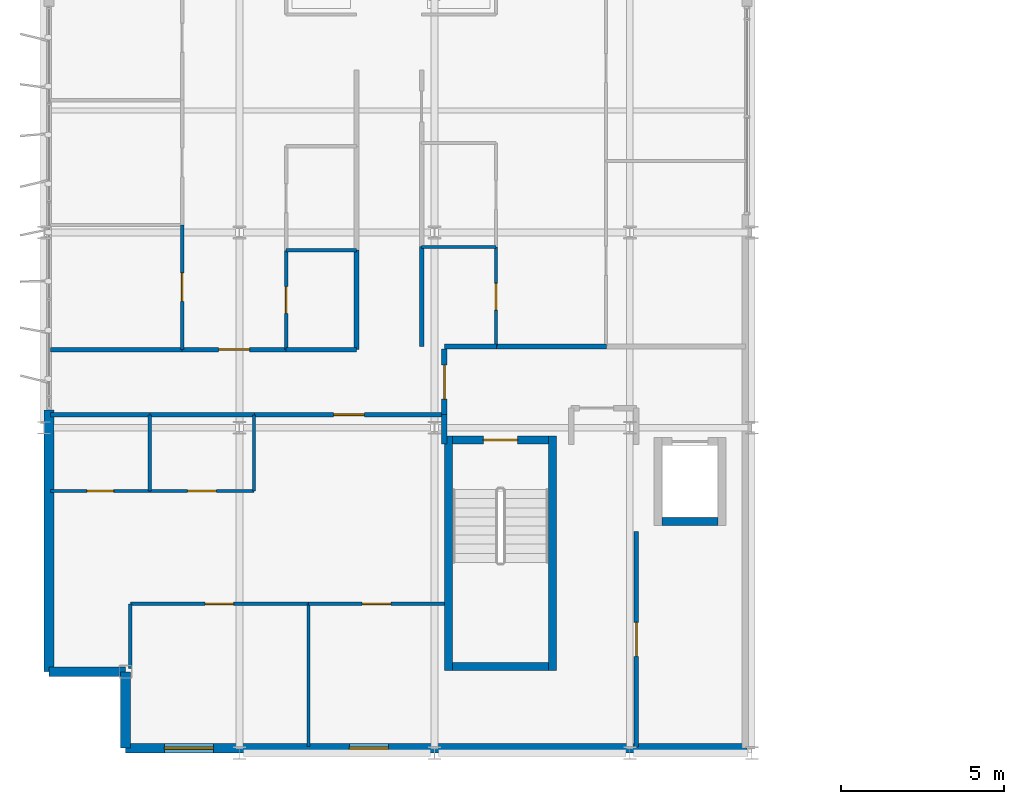
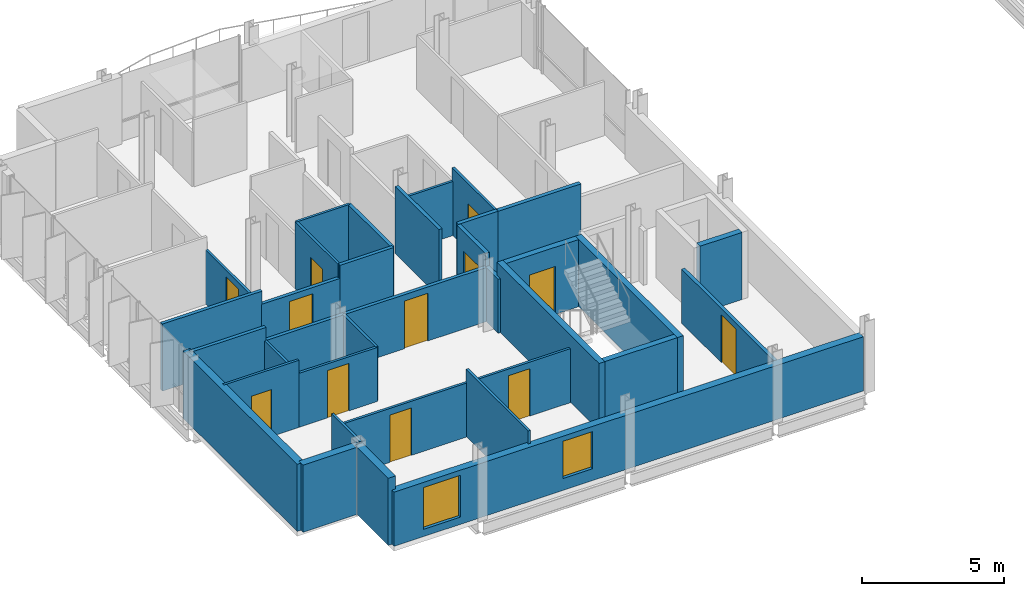
# One storey, part 21 of 28: 35 walls, 12 doors, 2 windows, 14 openings.
"""IFC4 building model written with IfcOpenShell, lengths in metres."""

from ifc_helpers import new_model, si_unit, direction, frame, frame_2d, origin, place, context, subcontext, project, spatial, rectangle, extrude, material, layer, layer_set, type_object, element, fill, save


model = new_model("IFC4")

# Units and contexts
model_context = context("Model", 3, precision=1e-05, world=origin(), true_north=direction((0.0, 1.0)))
body_context = subcontext(model_context, "Body", "Model", "MODEL_VIEW")
ifc_project = project(units=[si_unit("LENGTHUNIT", "METRE"), si_unit("AREAUNIT", "SQUARE_METRE"), si_unit("VOLUMEUNIT", "CUBIC_METRE"), si_unit("PLANEANGLEUNIT", "RADIAN"), si_unit("MASSUNIT", "GRAM", prefix="KILO")], contexts=[model_context])

# Site, building, storey
site_placement = place(None, origin())
site = spatial("IfcSite", under=ifc_project, at=site_placement, CompositionType="ELEMENT")
building_placement = place(site_placement, origin())
building = spatial("IfcBuilding", under=site, at=building_placement, Name="Brevholm Reach", CompositionType="ELEMENT")
storey_placement = place(building_placement, frame((0.0, 0.0, 192.5)))
storey = spatial("IfcBuildingStorey", under=building, at=storey_placement, Name="L58", CompositionType="ELEMENT", Elevation=192.5)

# Walls
ifc_material_1 = material(Name="Concrete C45/55", Category="concrete")
ifc_layer_1 = layer(ifc_material_1, 0.239990234375)
ifc_layer_set_1 = layer_set([ifc_layer_1], Name="Concrete C45/55")
wall_type_1 = type_object("IfcWallType", Name="WAL-COR-240", PredefinedType="SHEAR", material=ifc_layer_set_1)
for number, where, z_axis, x_axis, name in (
    (1, (12.429931640625, 2.5400390625, 0.0), (0.0, 0.0, 1.0), (0.0, 1.0, 0.0), "L58 Escape Stair ST-1 Core Wall W"),
    (2, (15.6201171875, 2.5400390625, 0.0), (0.0, 0.0, 1.0), (0.0, 1.0, 0.0), "L58 Escape Stair ST-1 Core Wall E"),
):
    element("IfcWall", number, at=place(storey_placement, frame(where, z_axis=z_axis, x_axis=x_axis)), inside=storey, type_object=wall_type_1, Name=name, PredefinedType="SHEAR", context=body_context, shape_type="SweptSolid", body=[
        extrude(rectangle(XDim=7.199951171875, YDim=0.239990234375, at=frame_2d((3.60009765625, 0.0))), origin(), (0.0, 0.0, 1.0), 2.889892578125),
    ])
wall_1_placement = place(storey_placement, frame((12.550048828125, 2.659912109375, 0.0), z_axis=(0.0, 0.0, 1.0), x_axis=(1.0, 0.0, 0.0)))
element("IfcWall", 3, at=wall_1_placement, inside=storey, type_object=wall_type_1, Name="L58 Escape Stair ST-1 Core Wall S", PredefinedType="SHEAR", context=body_context, shape_type="SweptSolid", body=[
    extrude(rectangle(XDim=2.949951171875, YDim=0.239990234375, at=frame_2d((1.47509765625, 0.0))), origin(), (0.0, 0.0, 1.0), 2.889892578125),
])

# Wall, opening, door
wall_2_placement = place(storey_placement, frame((15.5, 9.6201171875, 0.0), z_axis=(0.0, 0.0, 1.0), x_axis=(-1.0, 0.0, 0.0)))
wall_2 = element("IfcWall", 4, at=wall_2_placement, inside=storey, type_object=wall_type_1, Name="L58 Escape Stair ST-1 Core Wall N", PredefinedType="SHEAR", context=body_context, shape_type="SweptSolid", body=[
    extrude(rectangle(XDim=2.949951171875, YDim=0.239990234375, at=frame_2d((1.47509765625, 0.0))), origin(), (0.0, 0.0, 1.0), 2.889892578125),
])
opening_1_placement = place(wall_2_placement, frame((0.949951171875, 0.0, 0.0)))
opening_1 = element("IfcOpeningElement", 5, at=opening_1_placement, cuts=wall_2, Name="Opening SD-ST-1", PredefinedType="OPENING", context=body_context, shape_type="SweptSolid", body=[
    extrude(rectangle(XDim=1.050048828125, YDim=2.06005859375, at=frame_2d((0.52490234375, 1.030029296875))), frame((0.0, 0.1298828125, 0.0), z_axis=(0.0, -1.0, 0.0), x_axis=(1.0, 0.0, 0.0)), (0.0, 0.0, 1.0), 0.260009765625),
])
ifc_material_2 = material(Name="Hardwood-Lipped Steel-Core Fire and Smoke Door", Category="steel")
door_type_1 = type_object("IfcDoorType", Name="DOR-INT-FD60S", OperationType="NOTDEFINED", PredefinedType="DOOR", material=ifc_material_2)
door_1_placement = place(opening_1_placement, origin())
door_1 = element("IfcDoor", 6, at=door_1_placement, inside=storey, type_object=door_type_1, Name="L58 Protected Stair ST-1 Lobby Door", OperationType="SINGLE_SWING_RIGHT", OverallHeight=2.06005859375, OverallWidth=1.050048828125, PredefinedType="DOOR", context=body_context, shape_type="SweptSolid", body=[
    extrude(rectangle(XDim=1.050048828125, YDim=2.06005859375, at=frame_2d((0.52490234375, 1.030029296875))), frame((0.0, 0.02490234375, 0.0), z_axis=(0.0, -1.0, 0.0), x_axis=(1.0, 0.0, 0.0)), (0.0, 0.0, 1.0), 0.050048828125),
])
fill(opening_1, door_1)

# Walls
wall_3_placement = place(storey_placement, frame((18.989990234375, 7.1201171875, 0.0), z_axis=(0.0, 0.0, 1.0), x_axis=(1.0, 0.0, 0.0)))
element("IfcWall", 7, at=wall_3_placement, inside=storey, type_object=wall_type_1, Name="L58 Lift FFL-1 Shaft Wall S", PredefinedType="SHEAR", context=body_context, shape_type="SweptSolid", body=[
    extrude(rectangle(XDim=1.719970703125, YDim=0.239990234375, at=frame_2d((0.85986328125, 0.0))), origin(), (0.0, 0.0, 1.0), 2.889892578125),
])
ifc_material_3 = material(Name="Concrete C40/50", Category="concrete")
ifc_layer_2 = layer(ifc_material_3, 0.300048828125)
ifc_layer_set_2 = layer_set([ifc_layer_2], Name="Concrete C40/50")
wall_type_2 = type_object("IfcWallType", Name="WAL-EXT-300", PredefinedType="STANDARD", material=ifc_layer_set_2)
for number, where, z_axis, x_axis, name in (
    (8, (2.5, 2.5, 0.0), (0.0, 0.0, 1.0), (0.0, -1.0, 0.0), "L58 Facade Wall WAL-L58-WW-CSW1"),
    (9, (0.14990234375, 2.5, 0.0), (0.0, 0.0, 1.0), (1.0, 0.0, 0.0), "L58 Facade Wall WAL-L58-WW-CSW2"),
):
    element("IfcWall", number, at=place(storey_placement, frame(where, z_axis=z_axis, x_axis=x_axis)), inside=storey, type_object=wall_type_2, Name=name, PredefinedType="STANDARD", context=body_context, shape_type="SweptSolid", body=[
        extrude(rectangle(XDim=2.35009765625, YDim=0.300048828125, at=frame_2d((1.175048828125, 0.0))), origin(), (0.0, 0.0, 1.0), 2.889892578125),
    ])

# Wall, openings, windows
wall_4_placement = place(storey_placement, frame((2.5, 0.14990234375, 0.0), z_axis=(0.0, 0.0, 1.0), x_axis=(1.0, 0.0, 0.0)))
wall_4 = element("IfcWall", 10, at=wall_4_placement, inside=storey, type_object=wall_type_2, Name="L58 Facade Wall WAL-L58-WW-S", PredefinedType="STANDARD", context=body_context, shape_type="SweptSolid", body=[
    extrude(rectangle(XDim=19.10009765625, YDim=0.300048828125, at=frame_2d((9.550048828125, 0.0))), origin(), (0.0, 0.0, 1.0), 2.331787109375),
])
opening_2_placement = place(wall_4_placement, frame((1.199951171875, 0.0, 0.31201171875)))
opening_2 = element("IfcOpeningElement", 11, at=opening_2_placement, cuts=wall_4, Name="Opening WN-05", PredefinedType="OPENING", context=body_context, shape_type="SweptSolid", body=[
    extrude(rectangle(XDim=1.5, YDim=1.800048828125, at=frame_2d((0.75, 0.89990234375))), frame((0.0, 0.159912109375, 0.0), z_axis=(0.0, -1.0, 0.0), x_axis=(1.0, 0.0, 0.0)), (0.0, 0.0, 1.0), 0.320068359375),
])
opening_3_placement = place(wall_4_placement, frame((6.877685546875, 0.0, 0.511962890625)))
opening_3 = element("IfcOpeningElement", 12, at=opening_3_placement, cuts=wall_4, Name="Opening WN-08", PredefinedType="OPENING", context=body_context, shape_type="SweptSolid", body=[
    extrude(rectangle(XDim=1.199951171875, YDim=1.60009765625, at=frame_2d((0.60009765625, 0.800048828125))), frame((0.0, 0.159912109375, 0.0), z_axis=(0.0, -1.0, 0.0), x_axis=(1.0, 0.0, 0.0)), (0.0, 0.0, 1.0), 0.320068359375),
])
ifc_material_4 = material(Name="Dark Anodised Aluminium and Solar-Control IGU Glass", Category="aluminium")
window_type_1 = type_object("IfcWindowType", Name="WIN-RES-1200", PartitioningType="SINGLE_PANEL", PredefinedType="WINDOW", material=ifc_material_4)
window_1_placement = place(opening_3_placement, origin())
window_1 = element("IfcWindow", 13, at=window_1_placement, inside=storey, type_object=window_type_1, Name="L58 Bedroom Window 058", OverallHeight=1.60009765625, OverallWidth=1.199951171875, PartitioningType="SINGLE_PANEL", PredefinedType="WINDOW", context=body_context, shape_type="SweptSolid", body=[
    extrude(rectangle(XDim=1.199951171875, YDim=1.60009765625, at=frame_2d((0.60009765625, 0.800048828125))), frame((0.0, 0.030029296875, 0.0), z_axis=(0.0, -1.0, 0.0), x_axis=(1.0, 0.0, 0.0)), (0.0, 0.0, 1.0), 0.06005859375),
])
fill(opening_3, window_1)
ifc_material_5 = material(Name="Dark Anodised Aluminium and Solar-Control IGU Glass", Category="aluminium")
window_type_2 = type_object("IfcWindowType", Name="WIN-RES-1500", PartitioningType="SINGLE_PANEL", PredefinedType="WINDOW", material=ifc_material_5)
window_2_placement = place(opening_2_placement, origin())
window_2 = element("IfcWindow", 14, at=window_2_placement, inside=storey, type_object=window_type_2, Name="L58 Window WIN-L58-WWS-1", OverallHeight=1.800048828125, OverallWidth=1.5, PartitioningType="SINGLE_PANEL", PredefinedType="WINDOW", context=body_context, shape_type="SweptSolid", body=[
    extrude(rectangle(XDim=1.5, YDim=1.800048828125, at=frame_2d((0.75, 0.89990234375))), frame((0.0, 0.030029296875, 0.0), z_axis=(0.0, -1.0, 0.0), x_axis=(1.0, 0.0, 0.0)), (0.0, 0.0, 1.0), 0.06005859375),
])
fill(opening_2, window_2)

# Walls
wall_5_placement = place(storey_placement, frame((0.14990234375, 10.550048828125, 0.0), z_axis=(0.0, 0.0, 1.0), x_axis=(0.0, -1.0, 0.0)))
element("IfcWall", 15, at=wall_5_placement, inside=storey, type_object=wall_type_2, Name="L58 Facade Wall WAL-L58-WW-WS", PredefinedType="STANDARD", context=body_context, shape_type="SweptSolid", body=[
    extrude(rectangle(XDim=8.050048828125, YDim=0.300048828125, at=frame_2d((4.02490234375, 0.0))), origin(), (0.0, 0.0, 1.0), 2.889892578125),
])
ifc_material_6 = material(Name="Moisture-Resistant Acoustic Gypsum Stud Partition 100 mm", Category="gypsum")
ifc_layer_3 = layer(ifc_material_6, 0.10009765625)
ifc_layer_set_3 = layer_set([ifc_layer_3], Name="Moisture-Resistant Acoustic Gypsum Stud Partition 100 mm")
wall_type_3 = type_object("IfcWallType", Name="WAL-PRT-100", PredefinedType="PARTITIONING", material=ifc_layer_set_3)
wall_6_placement = place(storey_placement, frame((3.25, 8.053955078125, 0.0), z_axis=(0.0, 0.0, 1.0), x_axis=(0.0, 1.0, 0.0)))
element("IfcWall", 16, at=wall_6_placement, inside=storey, type_object=wall_type_3, Name="L58 Internal Partition 036", PredefinedType="PARTITIONING", context=body_context, shape_type="SweptSolid", body=[
    extrude(rectangle(XDim=2.342041015625, YDim=0.10009765625, at=frame_2d((1.1708984375, 0.0))), origin(), (0.0, 0.0, 1.0), 2.325439453125),
])

# Wall, opening, door
wall_7_placement = place(storey_placement, frame((0.199951171875, 8.053955078125, 0.0), z_axis=(0.0, 0.0, 1.0), x_axis=(1.0, 0.0, 0.0)))
wall_7 = element("IfcWall", 17, at=wall_7_placement, inside=storey, type_object=wall_type_3, Name="L58 Internal Partition 037", PredefinedType="PARTITIONING", context=body_context, shape_type="SweptSolid", body=[
    extrude(rectangle(XDim=3.050048828125, YDim=0.10009765625, at=frame_2d((1.52490234375, 0.0))), origin(), (0.0, 0.0, 1.0), 2.889892578125),
])
opening_4_placement = place(wall_7_placement, frame((1.114990234375, 0.0, 0.0)))
opening_4 = element("IfcOpeningElement", 18, at=opening_4_placement, cuts=wall_7, Name="Opening ID-03", PredefinedType="OPENING", context=body_context, shape_type="SweptSolid", body=[
    extrude(rectangle(XDim=0.820068359375, YDim=2.02001953125, at=frame_2d((0.41015625, 1.010009765625))), frame((0.0, 0.06005859375, 0.0), z_axis=(0.0, -1.0, 0.0), x_axis=(1.0, 0.0, 0.0)), (0.0, 0.0, 1.0), 0.1201171875),
])
ifc_material_7 = material(Name="Moisture-Resistant Painted Timber Internal Bathroom Door", Category="wood")
door_type_2 = type_object("IfcDoorType", Name="DOR-BATH-820", OperationType="NOTDEFINED", PredefinedType="DOOR", material=ifc_material_7)
door_2_placement = place(opening_4_placement, origin())
door_2 = element("IfcDoor", 19, at=door_2_placement, inside=storey, type_object=door_type_2, Name="L58 Internal Door 014", OperationType="SINGLE_SWING_LEFT", OverallHeight=2.02001953125, OverallWidth=0.820068359375, PredefinedType="DOOR", context=body_context, shape_type="SweptSolid", body=[
    extrude(rectangle(XDim=0.820068359375, YDim=2.02001953125, at=frame_2d((0.41015625, 1.010009765625))), frame((0.0, 0.02490234375, 0.0), z_axis=(0.0, -1.0, 0.0), x_axis=(1.0, 0.0, 0.0)), (0.0, 0.0, 1.0), 0.050048828125),
])
fill(opening_4, door_2)

wall_8_placement = place(storey_placement, frame((3.25390625, 8.053955078125, 0.0), z_axis=(0.0, 0.0, 1.0), x_axis=(1.0, 0.0, 0.0)))
wall_8 = element("IfcWall", 20, at=wall_8_placement, inside=storey, type_object=wall_type_3, Name="L58 Internal Partition 038", PredefinedType="PARTITIONING", context=body_context, shape_type="SweptSolid", body=[
    extrude(rectangle(XDim=3.196044921875, YDim=0.10009765625, at=frame_2d((1.59814453125, 0.0))), origin(), (0.0, 0.0, 1.0), 2.325439453125),
])
opening_5_placement = place(wall_8_placement, frame((1.157958984375, 0.0, 0.0)))
opening_5 = element("IfcOpeningElement", 21, at=opening_5_placement, cuts=wall_8, Name="Opening ID-01", PredefinedType="OPENING", context=body_context, shape_type="SweptSolid", body=[
    extrude(rectangle(XDim=0.8798828125, YDim=2.0400390625, at=frame_2d((0.43994140625, 1.02001953125))), frame((0.0, 0.06005859375, 0.0), z_axis=(0.0, -1.0, 0.0), x_axis=(1.0, 0.0, 0.0)), (0.0, 0.0, 1.0), 0.1201171875),
])
ifc_material_8 = material(Name="Lacquered Ash Solid-Core Acoustic Internal Door", Category="timber")
door_type_3 = type_object("IfcDoorType", Name="DOR-INT-880", OperationType="NOTDEFINED", PredefinedType="DOOR", material=ifc_material_8)
door_3_placement = place(opening_5_placement, origin())
door_3 = element("IfcDoor", 22, at=door_3_placement, inside=storey, type_object=door_type_3, Name="L58 Internal Door 015", OperationType="SINGLE_SWING_RIGHT", OverallHeight=2.0400390625, OverallWidth=0.8798828125, PredefinedType="DOOR", context=body_context, shape_type="SweptSolid", body=[
    extrude(rectangle(XDim=0.8798828125, YDim=2.0400390625, at=frame_2d((0.43994140625, 1.02001953125))), frame((0.0, 0.02490234375, 0.0), z_axis=(0.0, -1.0, 0.0), x_axis=(1.0, 0.0, 0.0)), (0.0, 0.0, 1.0), 0.050048828125),
])
fill(opening_5, door_3)

# Walls
wall_9_placement = place(storey_placement, frame((6.449951171875, 8.053955078125, 0.0), z_axis=(0.0, 0.0, 1.0), x_axis=(0.0, 1.0, 0.0)))
element("IfcWall", 23, at=wall_9_placement, inside=storey, type_object=wall_type_3, Name="L58 Internal Partition 039", PredefinedType="PARTITIONING", context=body_context, shape_type="SweptSolid", body=[
    extrude(rectangle(XDim=2.342041015625, YDim=0.10009765625, at=frame_2d((1.1708984375, 0.0))), origin(), (0.0, 0.0, 1.0), 2.325439453125),
])
wall_10_placement = place(storey_placement, frame((8.125, 0.199951171875, 0.0), z_axis=(0.0, 0.0, 1.0), x_axis=(0.0, 1.0, 0.0)))
element("IfcWall", 24, at=wall_10_placement, inside=storey, type_object=wall_type_3, Name="L58 Internal Partition 040", PredefinedType="PARTITIONING", context=body_context, shape_type="SweptSolid", body=[
    extrude(rectangle(XDim=4.385986328125, YDim=0.10009765625, at=frame_2d((2.19287109375, 0.0))), origin(), (0.0, 0.0, 1.0), 2.889892578125),
])
wall_11_placement = place(storey_placement, frame((2.64990234375, 2.599365234375, 0.0), z_axis=(0.0, 0.0, 1.0), x_axis=(0.0, 1.0, 0.0)))
element("IfcWall", 25, at=wall_11_placement, inside=storey, type_object=wall_type_3, Name="L58 Internal Partition 041", PredefinedType="PARTITIONING", context=body_context, shape_type="SweptSolid", body=[
    extrude(rectangle(XDim=1.986572265625, YDim=0.10009765625, at=frame_2d((0.9931640625, 0.0))), origin(), (0.0, 0.0, 1.0), 2.889892578125),
])

# Wall, opening, door
wall_12_placement = place(storey_placement, frame((2.64990234375, 4.5859375, 0.0), z_axis=(0.0, 0.0, 1.0), x_axis=(1.0, 0.0, 0.0)))
wall_12 = element("IfcWall", 26, at=wall_12_placement, inside=storey, type_object=wall_type_3, Name="L58 Internal Partition 042", PredefinedType="PARTITIONING", context=body_context, shape_type="SweptSolid", body=[
    extrude(rectangle(XDim=5.47509765625, YDim=0.10009765625, at=frame_2d((2.737548828125, 0.0))), origin(), (0.0, 0.0, 1.0), 2.325439453125),
])
opening_6_placement = place(wall_12_placement, frame((2.297607421875, 0.0, 0.0)))
opening_6 = element("IfcOpeningElement", 27, at=opening_6_placement, cuts=wall_12, Name="Opening ID-01", PredefinedType="OPENING", context=body_context, shape_type="SweptSolid", body=[
    extrude(rectangle(XDim=0.8798828125, YDim=2.0400390625, at=frame_2d((0.43994140625, 1.02001953125))), frame((0.0, 0.06005859375, 0.0), z_axis=(0.0, -1.0, 0.0), x_axis=(1.0, 0.0, 0.0)), (0.0, 0.0, 1.0), 0.1201171875),
])
door_4_placement = place(opening_6_placement, origin())
door_4 = element("IfcDoor", 28, at=door_4_placement, inside=storey, type_object=door_type_3, Name="L58 Internal Door 016", OperationType="SINGLE_SWING_LEFT", OverallHeight=2.0400390625, OverallWidth=0.8798828125, PredefinedType="DOOR", context=body_context, shape_type="SweptSolid", body=[
    extrude(rectangle(XDim=0.8798828125, YDim=2.0400390625, at=frame_2d((0.43994140625, 1.02001953125))), frame((0.0, 0.02490234375, 0.0), z_axis=(0.0, -1.0, 0.0), x_axis=(1.0, 0.0, 0.0)), (0.0, 0.0, 1.0), 0.050048828125),
])
fill(opening_6, door_4)

wall_13_placement = place(storey_placement, frame((8.12890625, 4.5859375, 0.0), z_axis=(0.0, 0.0, 1.0), x_axis=(1.0, 0.0, 0.0)))
wall_13 = element("IfcWall", 29, at=wall_13_placement, inside=storey, type_object=wall_type_3, Name="L58 Internal Partition 043", PredefinedType="PARTITIONING", context=body_context, shape_type="SweptSolid", body=[
    extrude(rectangle(XDim=4.171142578125, YDim=0.10009765625, at=frame_2d((2.08544921875, 0.0))), origin(), (0.0, 0.0, 1.0), 2.325439453125),
])
opening_7_placement = place(wall_13_placement, frame((1.6455078125, 0.0, 0.0)))
opening_7 = element("IfcOpeningElement", 30, at=opening_7_placement, cuts=wall_13, Name="Opening ID-01", PredefinedType="OPENING", context=body_context, shape_type="SweptSolid", body=[
    extrude(rectangle(XDim=0.8798828125, YDim=2.0400390625, at=frame_2d((0.43994140625, 1.02001953125))), frame((0.0, 0.06005859375, 0.0), z_axis=(0.0, -1.0, 0.0), x_axis=(1.0, 0.0, 0.0)), (0.0, 0.0, 1.0), 0.1201171875),
])
door_5_placement = place(opening_7_placement, origin())
door_5 = element("IfcDoor", 31, at=door_5_placement, inside=storey, type_object=door_type_3, Name="L58 Internal Door 017", OperationType="SINGLE_SWING_RIGHT", OverallHeight=2.0400390625, OverallWidth=0.8798828125, PredefinedType="DOOR", context=body_context, shape_type="SweptSolid", body=[
    extrude(rectangle(XDim=0.8798828125, YDim=2.0400390625, at=frame_2d((0.43994140625, 1.02001953125))), frame((0.0, 0.02490234375, 0.0), z_axis=(0.0, -1.0, 0.0), x_axis=(1.0, 0.0, 0.0)), (0.0, 0.0, 1.0), 0.050048828125),
])
fill(opening_7, door_5)

# Wall
wall_14_placement = place(storey_placement, frame((7.43798828125, 15.449951171875, 0.0), z_axis=(0.0, 0.0, 1.0), x_axis=(1.0, 0.0, 0.0)))
element("IfcWall", 32, at=wall_14_placement, inside=storey, type_object=wall_type_3, Name="L58 Internal Partition 044", PredefinedType="PARTITIONING", context=body_context, shape_type="SweptSolid", body=[
    extrude(rectangle(XDim=2.157958984375, YDim=0.10009765625, at=frame_2d((1.0791015625, 0.0))), origin(), (0.0, 0.0, 1.0), 2.889892578125),
])

# Wall, opening, door
wall_15_placement = place(storey_placement, frame((7.43798828125, 12.404052734375, 0.0), z_axis=(0.0, 0.0, 1.0), x_axis=(0.0, 1.0, 0.0)))
wall_15 = element("IfcWall", 33, at=wall_15_placement, inside=storey, type_object=wall_type_3, Name="L58 Internal Partition 045", PredefinedType="PARTITIONING", context=body_context, shape_type="SweptSolid", body=[
    extrude(rectangle(XDim=3.0458984375, YDim=0.10009765625, at=frame_2d((1.52294921875, 0.0))), origin(), (0.0, 0.0, 1.0), 2.889892578125),
])
opening_8_placement = place(wall_15_placement, frame((1.113037109375, 0.0, 0.0)))
opening_8 = element("IfcOpeningElement", 34, at=opening_8_placement, cuts=wall_15, Name="Opening ID-03", PredefinedType="OPENING", context=body_context, shape_type="SweptSolid", body=[
    extrude(rectangle(XDim=0.820068359375, YDim=2.02001953125, at=frame_2d((0.41015625, 1.010009765625))), frame((0.0, 0.06005859375, 0.0), z_axis=(0.0, -1.0, 0.0), x_axis=(1.0, 0.0, 0.0)), (0.0, 0.0, 1.0), 0.1201171875),
])
door_6_placement = place(opening_8_placement, origin())
door_6 = element("IfcDoor", 35, at=door_6_placement, inside=storey, type_object=door_type_2, Name="L58 Internal Door 018", OperationType="SINGLE_SWING_LEFT", OverallHeight=2.02001953125, OverallWidth=0.820068359375, PredefinedType="DOOR", context=body_context, shape_type="SweptSolid", body=[
    extrude(rectangle(XDim=0.820068359375, YDim=2.02001953125, at=frame_2d((0.41015625, 1.010009765625))), frame((0.0, 0.02490234375, 0.0), z_axis=(0.0, -1.0, 0.0), x_axis=(1.0, 0.0, 0.0)), (0.0, 0.0, 1.0), 0.050048828125),
])
fill(opening_8, door_6)

wall_16_placement = place(storey_placement, frame((4.241943359375, 12.404052734375, 0.0), z_axis=(0.0, 0.0, 1.0), x_axis=(0.0, 1.0, 0.0)))
wall_16 = element("IfcWall", 36, at=wall_16_placement, inside=storey, type_object=wall_type_3, Name="L58 Internal Partition 051", PredefinedType="PARTITIONING", context=body_context, shape_type="SweptSolid", body=[
    extrude(rectangle(XDim=3.828857421875, YDim=0.10009765625, at=frame_2d((1.91455078125, 0.0))), origin(), (0.0, 0.0, 1.0), 2.325439453125),
])
opening_9_placement = place(wall_16_placement, frame((1.474609375, 0.0, 0.0)))
opening_9 = element("IfcOpeningElement", 37, at=opening_9_placement, cuts=wall_16, Name="Opening ID-01", PredefinedType="OPENING", context=body_context, shape_type="SweptSolid", body=[
    extrude(rectangle(XDim=0.8798828125, YDim=2.0400390625, at=frame_2d((0.43994140625, 1.02001953125))), frame((0.0, 0.06005859375, 0.0), z_axis=(0.0, -1.0, 0.0), x_axis=(1.0, 0.0, 0.0)), (0.0, 0.0, 1.0), 0.1201171875),
])
door_7_placement = place(opening_9_placement, origin())
door_7 = element("IfcDoor", 38, at=door_7_placement, inside=storey, type_object=door_type_3, Name="L58 Internal Door 021", OperationType="SINGLE_SWING_RIGHT", OverallHeight=2.0400390625, OverallWidth=0.8798828125, PredefinedType="DOOR", context=body_context, shape_type="SweptSolid", body=[
    extrude(rectangle(XDim=0.8798828125, YDim=2.0400390625, at=frame_2d((0.43994140625, 1.02001953125))), frame((0.0, 0.02490234375, 0.0), z_axis=(0.0, -1.0, 0.0), x_axis=(1.0, 0.0, 0.0)), (0.0, 0.0, 1.0), 0.050048828125),
])
fill(opening_9, door_7)

# Wall
wall_17_placement = place(storey_placement, frame((11.60400390625, 15.550048828125, 0.0), z_axis=(0.0, 0.0, 1.0), x_axis=(1.0, 0.0, 0.0)))
element("IfcWall", 39, at=wall_17_placement, inside=storey, type_object=wall_type_3, Name="L58 Internal Partition 056", PredefinedType="PARTITIONING", context=body_context, shape_type="SweptSolid", body=[
    extrude(rectangle(XDim=2.284912109375, YDim=0.10009765625, at=frame_2d((1.142578125, 0.0))), origin(), (0.0, 0.0, 1.0), 2.325439453125),
])

# Wall, opening, door
wall_18_placement = place(storey_placement, frame((13.888916015625, 12.50390625, 0.0), z_axis=(0.0, 0.0, 1.0), x_axis=(0.0, 1.0, 0.0)))
wall_18 = element("IfcWall", 40, at=wall_18_placement, inside=storey, type_object=wall_type_3, Name="L58 Internal Partition 057", PredefinedType="PARTITIONING", context=body_context, shape_type="SweptSolid", body=[
    extrude(rectangle(XDim=3.046142578125, YDim=0.10009765625, at=frame_2d((1.52294921875, 0.0))), origin(), (0.0, 0.0, 1.0), 2.889892578125),
])
opening_10_placement = place(wall_18_placement, frame((1.113037109375, 0.0, 0.0)))
opening_10 = element("IfcOpeningElement", 41, at=opening_10_placement, cuts=wall_18, Name="Opening ID-03", PredefinedType="OPENING", context=body_context, shape_type="SweptSolid", body=[
    extrude(rectangle(XDim=0.820068359375, YDim=2.02001953125, at=frame_2d((0.41015625, 1.010009765625))), frame((0.0, 0.06005859375, 0.0), z_axis=(0.0, -1.0, 0.0), x_axis=(1.0, 0.0, 0.0)), (0.0, 0.0, 1.0), 0.1201171875),
])
door_8_placement = place(opening_10_placement, origin())
door_8 = element("IfcDoor", 42, at=door_8_placement, inside=storey, type_object=door_type_2, Name="L58 Internal Door 024", OperationType="SINGLE_SWING_LEFT", OverallHeight=2.02001953125, OverallWidth=0.820068359375, PredefinedType="DOOR", context=body_context, shape_type="SweptSolid", body=[
    extrude(rectangle(XDim=0.820068359375, YDim=2.02001953125, at=frame_2d((0.41015625, 1.010009765625))), frame((0.0, 0.02490234375, 0.0), z_axis=(0.0, -1.0, 0.0), x_axis=(1.0, 0.0, 0.0)), (0.0, 0.0, 1.0), 0.050048828125),
])
fill(opening_10, door_8)

ifc_material_9 = material(Name="Twin-Stud Acoustic Fire-Rated Gypsum Partition 140 mm", Category="gypsum")
ifc_layer_4 = layer(ifc_material_9, 0.139892578125)
ifc_layer_set_4 = layer_set([ifc_layer_4], Name="Twin-Stud Acoustic Fire-Rated Gypsum Partition 140 mm")
wall_type_4 = type_object("IfcWallType", Name="WAL-PRT-140", PredefinedType="PARTITIONING", material=ifc_layer_set_4)
wall_19_placement = place(storey_placement, frame((18.199951171875, 0.179931640625, 0.0), z_axis=(0.0, 0.0, 1.0), x_axis=(0.0, 1.0, 0.0)))
wall_19 = element("IfcWall", 43, at=wall_19_placement, inside=storey, type_object=wall_type_4, Name="L58 Internal Partition 001", PredefinedType="PARTITIONING", context=body_context, shape_type="SweptSolid", body=[
    extrude(rectangle(XDim=6.63134765625, YDim=0.139892578125, at=frame_2d((3.315673828125, 0.0))), origin(), (0.0, 0.0, 1.0), 2.325439453125),
])
opening_11_placement = place(wall_19_placement, frame((2.790771484375, 0.0, 0.0)))
opening_11 = element("IfcOpeningElement", 44, at=opening_11_placement, cuts=wall_19, Name="Opening FD-01", PredefinedType="OPENING", context=body_context, shape_type="SweptSolid", body=[
    extrude(rectangle(XDim=1.050048828125, YDim=2.06005859375, at=frame_2d((0.52490234375, 1.030029296875))), frame((0.0, 0.079833984375, 0.0), z_axis=(0.0, -1.0, 0.0), x_axis=(1.0, 0.0, 0.0)), (0.0, 0.0, 1.0), 0.159912109375),
])
door_9_placement = place(opening_11_placement, origin())
door_9 = element("IfcDoor", 45, at=door_9_placement, inside=storey, type_object=door_type_1, Name="L58 Internal Door 001", OperationType="SINGLE_SWING_RIGHT", OverallHeight=2.06005859375, OverallWidth=1.050048828125, PredefinedType="DOOR", context=body_context, shape_type="SweptSolid", body=[
    extrude(rectangle(XDim=1.050048828125, YDim=2.06005859375, at=frame_2d((0.52490234375, 1.030029296875))), frame((0.0, 0.02490234375, 0.0), z_axis=(0.0, -1.0, 0.0), x_axis=(1.0, 0.0, 0.0)), (0.0, 0.0, 1.0), 0.050048828125),
])
fill(opening_11, door_9)

# Walls
wall_20_placement = place(storey_placement, frame((0.199951171875, 10.39990234375, 0.0), z_axis=(0.0, 0.0, 1.0), x_axis=(1.0, 0.0, 0.0)))
element("IfcWall", 46, at=wall_20_placement, inside=storey, type_object=wall_type_4, Name="L58 Internal Partition 014", PredefinedType="PARTITIONING", context=body_context, shape_type="SweptSolid", body=[
    extrude(rectangle(XDim=3.061279296875, YDim=0.139892578125, at=frame_2d((1.53076171875, 0.0))), origin(), (0.0, 0.0, 1.0), 2.889892578125),
])
wall_21_placement = place(storey_placement, frame((3.24267578125, 10.39990234375, 0.0), z_axis=(0.0, 0.0, 1.0), x_axis=(1.0, 0.0, 0.0)))
element("IfcWall", 47, at=wall_21_placement, inside=storey, type_object=wall_type_4, Name="L58 Internal Partition 015", PredefinedType="PARTITIONING", context=body_context, shape_type="SweptSolid", body=[
    extrude(rectangle(XDim=3.218505859375, YDim=0.139892578125, at=frame_2d((1.609375, 0.0))), origin(), (0.0, 0.0, 1.0), 2.325439453125),
])

# Wall, opening, door
wall_22_placement = place(storey_placement, frame((6.442626953125, 10.39990234375, 0.0), z_axis=(0.0, 0.0, 1.0), x_axis=(1.0, 0.0, 0.0)))
wall_22 = element("IfcWall", 48, at=wall_22_placement, inside=storey, type_object=wall_type_4, Name="L58 Internal Partition 016", PredefinedType="PARTITIONING", context=body_context, shape_type="SweptSolid", body=[
    extrude(rectangle(XDim=5.853271484375, YDim=0.139892578125, at=frame_2d((2.9267578125, 0.0))), origin(), (0.0, 0.0, 1.0), 2.325439453125),
])
opening_12_placement = place(wall_22_placement, frame((2.45166015625, 0.0, 0.0)))
opening_12 = element("IfcOpeningElement", 49, at=opening_12_placement, cuts=wall_22, Name="Opening ID-30", PredefinedType="OPENING", context=body_context, shape_type="SweptSolid", body=[
    extrude(rectangle(XDim=0.949951171875, YDim=2.050048828125, at=frame_2d((0.47509765625, 1.02490234375))), frame((0.0, 0.079833984375, 0.0), z_axis=(0.0, -1.0, 0.0), x_axis=(1.0, 0.0, 0.0)), (0.0, 0.0, 1.0), 0.159912109375),
])
ifc_material_10 = material(Name="European Oak Veneered Solid-Core Fire Entrance Door", Category="timber")
door_type_4 = type_object("IfcDoorType", Name="DOR-FLT-FD30S", OperationType="NOTDEFINED", PredefinedType="DOOR", material=ifc_material_10)
door_10_placement = place(opening_12_placement, origin())
door_10 = element("IfcDoor", 50, at=door_10_placement, inside=storey, type_object=door_type_4, Name="L58 Internal Door 007", OperationType="SINGLE_SWING_RIGHT", OverallHeight=2.050048828125, OverallWidth=0.949951171875, PredefinedType="DOOR", context=body_context, shape_type="SweptSolid", body=[
    extrude(rectangle(XDim=0.949951171875, YDim=2.050048828125, at=frame_2d((0.47509765625, 1.02490234375))), frame((0.0, 0.02490234375, 0.0), z_axis=(0.0, -1.0, 0.0), x_axis=(1.0, 0.0, 0.0)), (0.0, 0.0, 1.0), 0.050048828125),
])
fill(opening_12, door_10)

# Walls
wall_23_placement = place(storey_placement, frame((7.4267578125, 12.39990234375, 0.0), z_axis=(0.0, 0.0, 1.0), x_axis=(1.0, 0.0, 0.0)))
element("IfcWall", 51, at=wall_23_placement, inside=storey, type_object=wall_type_4, Name="L58 Internal Partition 017", PredefinedType="PARTITIONING", context=body_context, shape_type="SweptSolid", body=[
    extrude(rectangle(XDim=2.1806640625, YDim=0.139892578125, at=frame_2d((1.09033203125, 0.0))), origin(), (0.0, 0.0, 1.0), 2.889892578125),
])
wall_24_placement = place(storey_placement, frame((0.199951171875, 12.39990234375, 0.0), z_axis=(0.0, 0.0, 1.0), x_axis=(1.0, 0.0, 0.0)))
element("IfcWall", 52, at=wall_24_placement, inside=storey, type_object=wall_type_4, Name="L58 Internal Partition 018", PredefinedType="PARTITIONING", context=body_context, shape_type="SweptSolid", body=[
    extrude(rectangle(XDim=4.053466796875, YDim=0.139892578125, at=frame_2d((2.02685546875, 0.0))), origin(), (0.0, 0.0, 1.0), 2.889892578125),
])

# Wall, opening, door
wall_25_placement = place(storey_placement, frame((4.234619140625, 12.39990234375, 0.0), z_axis=(0.0, 0.0, 1.0), x_axis=(1.0, 0.0, 0.0)))
wall_25 = element("IfcWall", 53, at=wall_25_placement, inside=storey, type_object=wall_type_4, Name="L58 Internal Partition 019", PredefinedType="PARTITIONING", context=body_context, shape_type="SweptSolid", body=[
    extrude(rectangle(XDim=3.210693359375, YDim=0.139892578125, at=frame_2d((1.60546875, 0.0))), origin(), (0.0, 0.0, 1.0), 2.325439453125),
])
opening_13_placement = place(wall_25_placement, frame((1.13037109375, 0.0, 0.0)))
opening_13 = element("IfcOpeningElement", 54, at=opening_13_placement, cuts=wall_25, Name="Opening ID-30", PredefinedType="OPENING", context=body_context, shape_type="SweptSolid", body=[
    extrude(rectangle(XDim=0.949951171875, YDim=2.050048828125, at=frame_2d((0.47509765625, 1.02490234375))), frame((0.0, 0.079833984375, 0.0), z_axis=(0.0, -1.0, 0.0), x_axis=(1.0, 0.0, 0.0)), (0.0, 0.0, 1.0), 0.159912109375),
])
door_11_placement = place(opening_13_placement, origin())
door_11 = element("IfcDoor", 55, at=door_11_placement, inside=storey, type_object=door_type_4, Name="L58 Internal Door 008", OperationType="SINGLE_SWING_LEFT", OverallHeight=2.050048828125, OverallWidth=0.949951171875, PredefinedType="DOOR", context=body_context, shape_type="SweptSolid", body=[
    extrude(rectangle(XDim=0.949951171875, YDim=2.050048828125, at=frame_2d((0.47509765625, 1.02490234375))), frame((0.0, 0.02490234375, 0.0), z_axis=(0.0, -1.0, 0.0), x_axis=(1.0, 0.0, 0.0)), (0.0, 0.0, 1.0), 0.050048828125),
])
fill(opening_13, door_11)

# Walls
wall_26_placement = place(storey_placement, frame((9.60009765625, 12.404052734375, 0.0), z_axis=(0.0, 0.0, 1.0), x_axis=(0.0, 1.0, 0.0)))
element("IfcWall", 56, at=wall_26_placement, inside=storey, type_object=wall_type_4, Name="L58 Internal Partition 020", PredefinedType="PARTITIONING", context=body_context, shape_type="SweptSolid", body=[
    extrude(rectangle(XDim=3.05712890625, YDim=0.139892578125, at=frame_2d((1.528564453125, 0.0))), origin(), (0.0, 0.0, 1.0), 2.889892578125),
])
wall_27_placement = place(storey_placement, frame((11.60009765625, 12.48876953125, 0.0), z_axis=(0.0, 0.0, 1.0), x_axis=(0.0, 1.0, 0.0)))
element("IfcWall", 57, at=wall_27_placement, inside=storey, type_object=wall_type_4, Name="L58 Internal Partition 023", PredefinedType="PARTITIONING", context=body_context, shape_type="SweptSolid", body=[
    extrude(rectangle(XDim=3.072509765625, YDim=0.139892578125, at=frame_2d((1.5361328125, 0.0))), origin(), (0.0, 0.0, 1.0), 2.889892578125),
])

# Wall, opening, door
ifc_material_11 = material(Name="Twin-Frame Fire-Rated Gypsum Board and Mineral Wool 160 mm", Category="gypsum")
ifc_layer_5 = layer(ifc_material_11, 0.159912109375)
ifc_layer_set_5 = layer_set([ifc_layer_5], Name="Twin-Frame Fire-Rated Gypsum Board and Mineral Wool 160 mm")
wall_type_5 = type_object("IfcWallType", Name="WAL-PRT-160", PredefinedType="PARTITIONING", material=ifc_layer_set_5)
wall_28_placement = place(storey_placement, frame((12.300048828125, 10.388671875, 0.0), z_axis=(0.0, 0.0, 1.0), x_axis=(0.0, 1.0, 0.0)))
wall_28 = element("IfcWall", 58, at=wall_28_placement, inside=storey, type_object=wall_type_5, Name="L58 Internal Partition 009", PredefinedType="PARTITIONING", context=body_context, shape_type="SweptSolid", body=[
    extrude(rectangle(XDim=2.022705078125, YDim=0.159912109375, at=frame_2d((1.01123046875, 0.0))), origin(), (0.0, 0.0, 1.0), 2.889892578125),
])
opening_14_placement = place(wall_28_placement, frame((0.486328125, 0.0, 0.0)))
opening_14 = element("IfcOpeningElement", 59, at=opening_14_placement, cuts=wall_28, Name="Opening FD-01", PredefinedType="OPENING", context=body_context, shape_type="SweptSolid", body=[
    extrude(rectangle(XDim=1.050048828125, YDim=2.06005859375, at=frame_2d((0.52490234375, 1.030029296875))), frame((0.0, 0.08984375, 0.0), z_axis=(0.0, -1.0, 0.0), x_axis=(1.0, 0.0, 0.0)), (0.0, 0.0, 1.0), 0.179931640625),
])
door_12_placement = place(opening_14_placement, origin())
door_12 = element("IfcDoor", 60, at=door_12_placement, inside=storey, type_object=door_type_1, Name="L58 Internal Door 006", OperationType="SINGLE_SWING_LEFT", OverallHeight=2.06005859375, OverallWidth=1.050048828125, PredefinedType="DOOR", context=body_context, shape_type="SweptSolid", body=[
    extrude(rectangle(XDim=1.050048828125, YDim=2.06005859375, at=frame_2d((0.52490234375, 1.030029296875))), frame((0.0, 0.02490234375, 0.0), z_axis=(0.0, -1.0, 0.0), x_axis=(1.0, 0.0, 0.0)), (0.0, 0.0, 1.0), 0.050048828125),
])
fill(opening_14, door_12)

# Walls
wall_29_placement = place(storey_placement, frame((12.300048828125, 9.5, 0.0), z_axis=(0.0, 0.0, 1.0), x_axis=(0.0, 1.0, 0.0)))
element("IfcWall", 61, at=wall_29_placement, inside=storey, type_object=wall_type_5, Name="L58 Internal Partition 010", PredefinedType="PARTITIONING", context=body_context, shape_type="SweptSolid", body=[
    extrude(rectangle(XDim=0.9072265625, YDim=0.159912109375, at=frame_2d((0.45361328125, 0.0))), origin(), (0.0, 0.0, 1.0), 2.325439453125),
])
wall_30_placement = place(storey_placement, frame((12.300048828125, 12.5, 0.0), z_axis=(0.0, 0.0, 1.0), x_axis=(1.0, 0.0, 0.0)))
element("IfcWall", 62, at=wall_30_placement, inside=storey, type_object=wall_type_5, Name="L58 Internal Partition 011", PredefinedType="PARTITIONING", context=body_context, shape_type="SweptSolid", body=[
    extrude(rectangle(XDim=1.600341796875, YDim=0.159912109375, at=frame_2d((0.80029296875, 0.0))), origin(), (0.0, 0.0, 1.0), 2.889892578125),
])
wall_31_placement = place(storey_placement, frame((13.881591796875, 12.5, 0.0), z_axis=(0.0, 0.0, 1.0), x_axis=(1.0, 0.0, 0.0)))
element("IfcWall", 63, at=wall_31_placement, inside=storey, type_object=wall_type_5, Name="L58 Internal Partition 013", PredefinedType="PARTITIONING", context=body_context, shape_type="SweptSolid", body=[
    extrude(rectangle(XDim=3.396728515625, YDim=0.159912109375, at=frame_2d((1.6982421875, 0.0))), origin(), (0.0, 0.0, 1.0), 2.889892578125),
])

save(model, "model.ifc")
